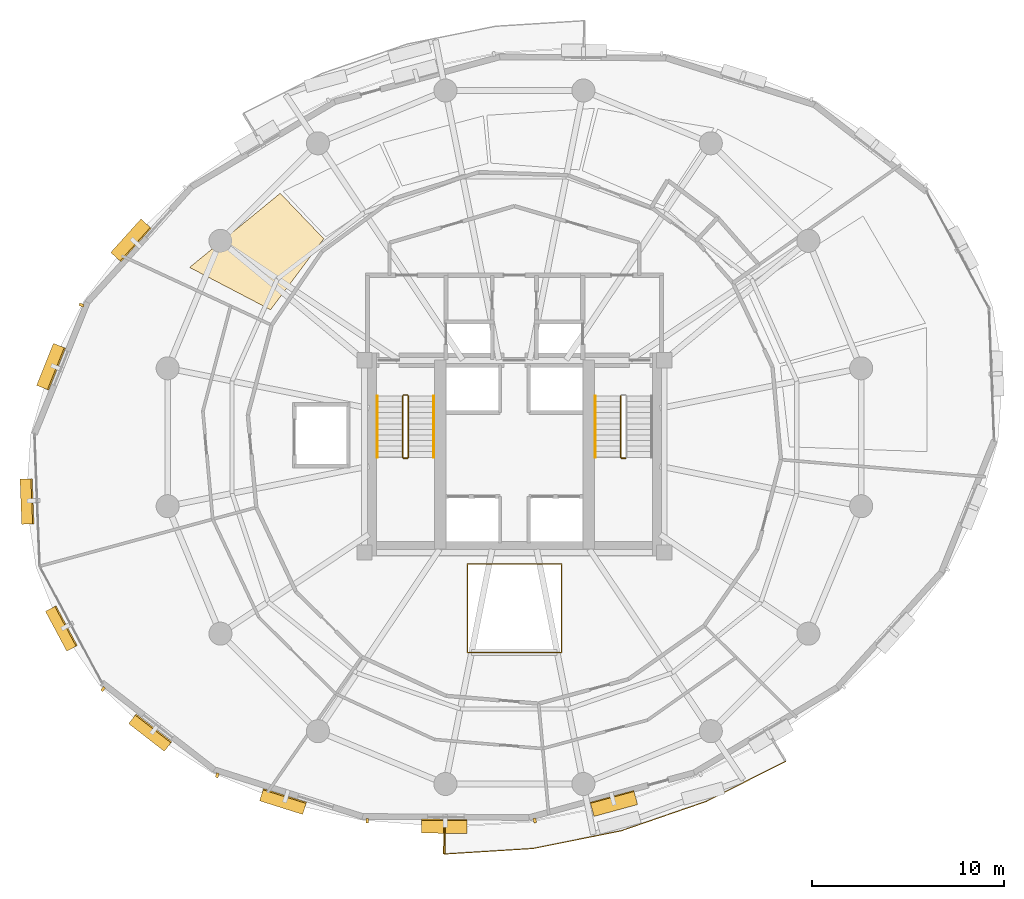
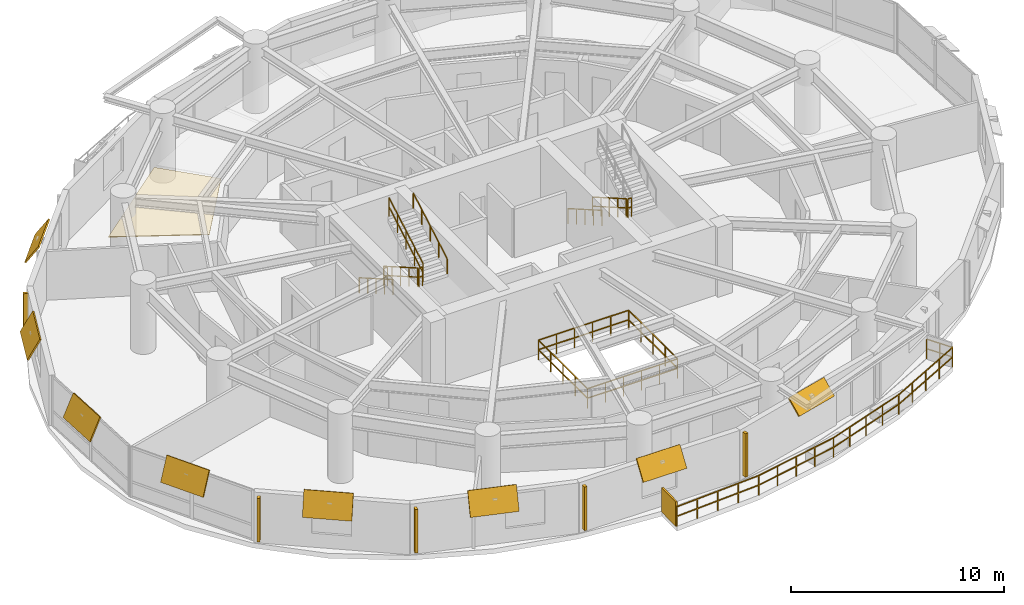
# One storey, part 13 of 15: 14 shading devices, 11 railings, 1 covering.
"""IFC4 building model written with IfcOpenShell, lengths in metres."""

from ifc_helpers import new_model, si_unit, direction, frame, origin, origin_2d, place, context, subcontext, project, spatial, polyline, rectangle, outline, extrude, material, layer, layer_set, type_object, element, save


model = new_model("IFC4")

# Units and contexts
model_context = context("Model", 3, precision=1e-05, world=origin(), true_north=direction((0.0, 1.0)))
body_context = subcontext(model_context, "Body", "Model", "MODEL_VIEW")
ifc_project = project(units=[si_unit("LENGTHUNIT", "METRE"), si_unit("AREAUNIT", "SQUARE_METRE"), si_unit("VOLUMEUNIT", "CUBIC_METRE"), si_unit("PLANEANGLEUNIT", "RADIAN"), si_unit("MASSUNIT", "GRAM", prefix="KILO"), si_unit("THERMODYNAMICTEMPERATUREUNIT", "KELVIN"), si_unit("POWERUNIT", "WATT")], contexts=[model_context])

# Site, building, storey
site_placement = place(None, origin())
site = spatial("IfcSite", under=ifc_project, at=site_placement, CompositionType="ELEMENT")
building_placement = place(site_placement, origin())
building = spatial("IfcBuilding", under=site, at=building_placement, Name="Ocrelia Relay Tower", CompositionType="ELEMENT")
storey_placement = place(building_placement, frame((0.0, 0.0, 97.800048828125)))
storey = spatial("IfcBuildingStorey", under=building, at=storey_placement, Name="L22", CompositionType="ELEMENT", Elevation=97.800048828125)

# Covering
ifc_material_1 = material(Name="Cleanroom metal-pan acoustic ceiling", Category="aluminium")
ifc_layer_1 = layer(ifc_material_1, 0.0400390625, Name="Cleanroom metal-pan acoustic ceiling")
ifc_layer_set_1 = layer_set([ifc_layer_1], Name="Cleanroom metal-pan acoustic ceiling")
covering_type = type_object("IfcCoveringType", Name="COV-CEIL-CLEAN", PredefinedType="CEILING", material=ifc_layer_set_1)
covering_placement = place(storey_placement, frame((0.0, 0.0, 2.719970703125)))
element("IfcCovering", 1, at=covering_placement, inside=storey, type_object=covering_type, Name="L22 Optical Switching Hall A Suspended Ceiling 6", PredefinedType="CEILING", context=body_context, shape_type="SweptSolid", body=[
    extrude(outline(polyline([(24.08251953125, 36.329833984375), (21.810791015625, 38.696044921875), (17.093505859375, 34.83837890625), (21.3095703125, 32.634521484375), (24.08251953125, 36.329833984375)])), origin(), (0.0, 0.0, 1.0), 0.0400390625),
])

# Railings
ifc_material_2 = material(Name="Steel S355 balustrade", Category="steel")
railing_type_1 = type_object("IfcRailingType", Name="RL-EXT-GUARD-1150", PredefinedType="GUARDRAIL", material=ifc_material_2)
railing_1_placement = place(storey_placement, frame((47.4091796875, 10.332763671875, 0.0)))
element("IfcRailing", 2, at=railing_1_placement, inside=storey, type_object=railing_type_1, Name="L22 Loggia Balcony Guard Rail B2", PredefinedType="GUARDRAIL", context=body_context, shape_type="SweptSolid", body=[
    extrude(rectangle(XDim=0.048095703125, YDim=0.048095703125, at=origin_2d()), frame((0.0, 0.0, 1.1259765625), z_axis=(0.512820036813, -0.85849613269, 0.0), x_axis=(0.85849613269, 0.512820036813, 0.0)), (0.0, 0.0, 1.0), 1.3935546875),
    extrude(rectangle(XDim=0.048095703125, YDim=0.048095703125, at=origin_2d()), frame((0.0, 0.0, 0.574951171875), z_axis=(0.512820036813, -0.85849613269, 0.0), x_axis=(0.85849613269, 0.512820036813, 0.0)), (0.0, 0.0, 1.0), 1.3935546875),
    extrude(rectangle(XDim=0.048095703125, YDim=0.048095703125, at=origin_2d()), frame((0.714599609375, -1.1962890625, 1.1259765625), z_axis=(-0.892415161061, -0.451215226148, 0.0), x_axis=(0.451215226148, -0.892415161061, 0.0)), (0.0, 0.0, 1.0), 2.315673828125),
    extrude(rectangle(XDim=0.048095703125, YDim=0.048095703125, at=origin_2d()), frame((0.714599609375, -1.1962890625, 0.574951171875), z_axis=(-0.892415161061, -0.451215226148, 0.0), x_axis=(0.451215226148, -0.892415161061, 0.0)), (0.0, 0.0, 1.0), 2.315673828125),
    extrude(rectangle(XDim=0.048095703125, YDim=0.048095703125, at=origin_2d()), frame((-1.35205078125, -2.2412109375, 1.1259765625), z_axis=(-0.892457610398, -0.451131259881, 0.0), x_axis=(0.451131259881, -0.892457610398, 0.0)), (0.0, 0.0, 1.0), 2.315673828125),
    extrude(rectangle(XDim=0.048095703125, YDim=0.048095703125, at=origin_2d()), frame((-1.35205078125, -2.2412109375, 0.574951171875), z_axis=(-0.892457610398, -0.451131259881, 0.0), x_axis=(0.451131259881, -0.892457610398, 0.0)), (0.0, 0.0, 1.0), 2.315673828125),
    extrude(rectangle(XDim=0.048095703125, YDim=0.048095703125, at=origin_2d()), frame((-3.418701171875, -3.285888671875, 1.1259765625), z_axis=(-0.94528262495, -0.32625259994, 0.0), x_axis=(0.32625259994, -0.94528262495, 0.0)), (0.0, 0.0, 1.0), 4.68212890625),
    extrude(rectangle(XDim=0.048095703125, YDim=0.048095703125, at=origin_2d()), frame((-3.418701171875, -3.285888671875, 0.574951171875), z_axis=(-0.94528262495, -0.32625259994, 0.0), x_axis=(0.32625259994, -0.94528262495, 0.0)), (0.0, 0.0, 1.0), 4.68212890625),
    extrude(rectangle(XDim=0.048095703125, YDim=0.048095703125, at=origin_2d()), frame((-7.8447265625, -4.8134765625, 1.1259765625), z_axis=(-0.980413862374, -0.196948364971, 0.0), x_axis=(0.196948364971, -0.980413862374, 0.0)), (0.0, 0.0, 1.0), 4.68212890625),
    extrude(rectangle(XDim=0.048095703125, YDim=0.048095703125, at=origin_2d()), frame((-7.8447265625, -4.8134765625, 0.574951171875), z_axis=(-0.980413862374, -0.196948364971, 0.0), x_axis=(0.196948364971, -0.980413862374, 0.0)), (0.0, 0.0, 1.0), 4.68212890625),
    extrude(rectangle(XDim=0.048095703125, YDim=0.048095703125, at=origin_2d()), frame((-12.43505859375, -5.735595703125, 1.1259765625), z_axis=(-0.998043954597, -0.062516115462, 0.0), x_axis=(0.062516115462, -0.998043954597, 0.0)), (0.0, 0.0, 1.0), 2.31591796875),
    extrude(rectangle(XDim=0.048095703125, YDim=0.048095703125, at=origin_2d()), frame((-12.43505859375, -5.735595703125, 0.574951171875), z_axis=(-0.998043954597, -0.062516115462, 0.0), x_axis=(0.062516115462, -0.998043954597, 0.0)), (0.0, 0.0, 1.0), 2.31591796875),
    extrude(rectangle(XDim=0.048095703125, YDim=0.048095703125, at=origin_2d()), frame((-14.746337890625, -5.88037109375, 1.1259765625), z_axis=(-0.99805052689, -0.062411102981, 0.0), x_axis=(0.062411102981, -0.99805052689, 0.0)), (0.0, 0.0, 1.0), 2.315673828125),
    extrude(rectangle(XDim=0.048095703125, YDim=0.048095703125, at=origin_2d()), frame((-14.746337890625, -5.88037109375, 0.574951171875), z_axis=(-0.99805052689, -0.062411102981, 0.0), x_axis=(0.062411102981, -0.99805052689, 0.0)), (0.0, 0.0, 1.0), 2.315673828125),
    extrude(rectangle(XDim=0.048095703125, YDim=0.048095703125, at=origin_2d()), frame((-17.0576171875, -6.02490234375, 1.1259765625), z_axis=(0.007883427057, 0.999968925306, 0.0), x_axis=(-0.999968925306, 0.007883427057, 0.0)), (0.0, 0.0, 1.0), 1.3935546875),
    extrude(rectangle(XDim=0.048095703125, YDim=0.048095703125, at=origin_2d()), frame((-17.0576171875, -6.02490234375, 0.574951171875), z_axis=(0.007883427057, 0.999968925306, 0.0), x_axis=(-0.999968925306, 0.007883427057, 0.0)), (0.0, 0.0, 1.0), 1.3935546875),
    extrude(rectangle(XDim=0.0419921875, YDim=0.0419921875, at=origin_2d()), origin(), (0.0, 0.0, 1.0), 1.101806640625),
    extrude(rectangle(XDim=0.0419921875, YDim=0.0419921875, at=origin_2d()), frame((0.357421875, -0.59814453125, 0.0)), (0.0, 0.0, 1.0), 1.101806640625),
    extrude(rectangle(XDim=0.0419921875, YDim=0.0419921875, at=origin_2d()), frame((0.714599609375, -1.1962890625, 0.0)), (0.0, 0.0, 1.0), 1.101806640625),
    extrude(rectangle(XDim=0.0419921875, YDim=0.0419921875, at=origin_2d()), frame((-0.31884765625, -1.71875, 0.0)), (0.0, 0.0, 1.0), 1.101806640625),
    extrude(rectangle(XDim=0.0419921875, YDim=0.0419921875, at=origin_2d()), frame((-1.35205078125, -2.2412109375, 0.0)), (0.0, 0.0, 1.0), 1.101806640625),
    extrude(rectangle(XDim=0.0419921875, YDim=0.0419921875, at=origin_2d()), frame((-2.38525390625, -2.763671875, 0.0)), (0.0, 0.0, 1.0), 1.101806640625),
    extrude(rectangle(XDim=0.0419921875, YDim=0.0419921875, at=origin_2d()), frame((-3.418701171875, -3.285888671875, 0.0)), (0.0, 0.0, 1.0), 1.101806640625),
    extrude(rectangle(XDim=0.0419921875, YDim=0.0419921875, at=origin_2d()), frame((-4.525146484375, -3.667724609375, 0.0)), (0.0, 0.0, 1.0), 1.101806640625),
    extrude(rectangle(XDim=0.0419921875, YDim=0.0419921875, at=origin_2d()), frame((-5.6318359375, -4.0498046875, 0.0)), (0.0, 0.0, 1.0), 1.101806640625),
    extrude(rectangle(XDim=0.0419921875, YDim=0.0419921875, at=origin_2d()), frame((-6.73828125, -4.431640625, 0.0)), (0.0, 0.0, 1.0), 1.101806640625),
    extrude(rectangle(XDim=0.0419921875, YDim=0.0419921875, at=origin_2d()), frame((-7.8447265625, -4.8134765625, 0.0)), (0.0, 0.0, 1.0), 1.101806640625),
    extrude(rectangle(XDim=0.0419921875, YDim=0.0419921875, at=origin_2d()), frame((-8.9921875, -5.0439453125, 0.0)), (0.0, 0.0, 1.0), 1.101806640625),
    extrude(rectangle(XDim=0.0419921875, YDim=0.0419921875, at=origin_2d()), frame((-10.139892578125, -5.2744140625, 0.0)), (0.0, 0.0, 1.0), 1.101806640625),
    extrude(rectangle(XDim=0.0419921875, YDim=0.0419921875, at=origin_2d()), frame((-11.28759765625, -5.505126953125, 0.0)), (0.0, 0.0, 1.0), 1.101806640625),
    extrude(rectangle(XDim=0.0419921875, YDim=0.0419921875, at=origin_2d()), frame((-12.43505859375, -5.735595703125, 0.0)), (0.0, 0.0, 1.0), 1.101806640625),
    extrude(rectangle(XDim=0.0419921875, YDim=0.0419921875, at=origin_2d()), frame((-13.5908203125, -5.80810546875, 0.0)), (0.0, 0.0, 1.0), 1.101806640625),
    extrude(rectangle(XDim=0.0419921875, YDim=0.0419921875, at=origin_2d()), frame((-14.746337890625, -5.88037109375, 0.0)), (0.0, 0.0, 1.0), 1.101806640625),
    extrude(rectangle(XDim=0.0419921875, YDim=0.0419921875, at=origin_2d()), frame((-15.90185546875, -5.95263671875, 0.0)), (0.0, 0.0, 1.0), 1.101806640625),
    extrude(rectangle(XDim=0.0419921875, YDim=0.0419921875, at=origin_2d()), frame((-17.0576171875, -6.02490234375, 0.0)), (0.0, 0.0, 1.0), 1.101806640625),
    extrude(rectangle(XDim=0.0419921875, YDim=0.0419921875, at=origin_2d()), frame((-17.05224609375, -5.328125, 0.0)), (0.0, 0.0, 1.0), 1.101806640625),
    extrude(rectangle(XDim=0.0419921875, YDim=0.0419921875, at=origin_2d()), frame((-17.046630859375, -4.63134765625, 0.0)), (0.0, 0.0, 1.0), 1.101806640625),
])
ifc_material_3 = material(Name="Steel S355 atrium balustrade", Category="steel")
railing_type_2 = type_object("IfcRailingType", Name="RL-INT-GUARD-115", PredefinedType="GUARDRAIL", material=ifc_material_3)
railing_2_placement = place(storey_placement, frame((31.550048828125, 14.800048828125, 0.0)))
element("IfcRailing", 3, at=railing_2_placement, inside=storey, type_object=railing_type_2, Name="L22 Multi-Zone Interior Atrium Guard", PredefinedType="GUARDRAIL", context=body_context, shape_type="SweptSolid", body=[
    extrude(rectangle(XDim=0.048095703125, YDim=0.048095703125, at=origin_2d()), frame((0.0, 0.0, 1.1259765625), z_axis=(1.0, 0.0, 0.0), x_axis=(0.0, 1.0, 0.0)), (0.0, 0.0, 1.0), 4.89990234375),
    extrude(rectangle(XDim=0.048095703125, YDim=0.048095703125, at=origin_2d()), frame((0.0, 0.0, 0.574951171875), z_axis=(1.0, 0.0, 0.0), x_axis=(0.0, 1.0, 0.0)), (0.0, 0.0, 1.0), 4.89990234375),
    extrude(rectangle(XDim=0.048095703125, YDim=0.048095703125, at=origin_2d()), frame((4.89990234375, 0.0, 1.1259765625), z_axis=(0.0, 1.0, 0.0), x_axis=(-1.0, 0.0, 0.0)), (0.0, 0.0, 1.0), 4.599853515625),
    extrude(rectangle(XDim=0.048095703125, YDim=0.048095703125, at=origin_2d()), frame((4.89990234375, 0.0, 0.574951171875), z_axis=(0.0, 1.0, 0.0), x_axis=(-1.0, 0.0, 0.0)), (0.0, 0.0, 1.0), 4.599853515625),
    extrude(rectangle(XDim=0.048095703125, YDim=0.048095703125, at=origin_2d()), frame((4.89990234375, 4.599853515625, 1.1259765625), z_axis=(-1.0, 0.0, 0.0), x_axis=(0.0, -1.0, 0.0)), (0.0, 0.0, 1.0), 4.89990234375),
    extrude(rectangle(XDim=0.048095703125, YDim=0.048095703125, at=origin_2d()), frame((4.89990234375, 4.599853515625, 0.574951171875), z_axis=(-1.0, 0.0, 0.0), x_axis=(0.0, -1.0, 0.0)), (0.0, 0.0, 1.0), 4.89990234375),
    extrude(rectangle(XDim=0.048095703125, YDim=0.048095703125, at=origin_2d()), frame((0.0, 4.599853515625, 1.1259765625), z_axis=(0.0, -1.0, 0.0), x_axis=(1.0, 0.0, 0.0)), (0.0, 0.0, 1.0), 4.599853515625),
    extrude(rectangle(XDim=0.048095703125, YDim=0.048095703125, at=origin_2d()), frame((0.0, 4.599853515625, 0.574951171875), z_axis=(0.0, -1.0, 0.0), x_axis=(1.0, 0.0, 0.0)), (0.0, 0.0, 1.0), 4.599853515625),
    extrude(rectangle(XDim=0.0419921875, YDim=0.0419921875, at=origin_2d()), origin(), (0.0, 0.0, 1.0), 1.101806640625),
    extrude(rectangle(XDim=0.0419921875, YDim=0.0419921875, at=origin_2d()), frame((0.97998046875, 0.0, 0.0)), (0.0, 0.0, 1.0), 1.101806640625),
    extrude(rectangle(XDim=0.0419921875, YDim=0.0419921875, at=origin_2d()), frame((1.9599609375, 0.0, 0.0)), (0.0, 0.0, 1.0), 1.101806640625),
    extrude(rectangle(XDim=0.0419921875, YDim=0.0419921875, at=origin_2d()), frame((2.93994140625, 0.0, 0.0)), (0.0, 0.0, 1.0), 1.101806640625),
    extrude(rectangle(XDim=0.0419921875, YDim=0.0419921875, at=origin_2d()), frame((3.919921875, 0.0, 0.0)), (0.0, 0.0, 1.0), 1.101806640625),
    extrude(rectangle(XDim=0.0419921875, YDim=0.0419921875, at=origin_2d()), frame((4.89990234375, 0.0, 0.0)), (0.0, 0.0, 1.0), 1.101806640625),
    extrude(rectangle(XDim=0.0419921875, YDim=0.0419921875, at=origin_2d()), frame((4.89990234375, 1.14990234375, 0.0)), (0.0, 0.0, 1.0), 1.101806640625),
    extrude(rectangle(XDim=0.0419921875, YDim=0.0419921875, at=origin_2d()), frame((4.89990234375, 2.2998046875, 0.0)), (0.0, 0.0, 1.0), 1.101806640625),
    extrude(rectangle(XDim=0.0419921875, YDim=0.0419921875, at=origin_2d()), frame((4.89990234375, 3.449951171875, 0.0)), (0.0, 0.0, 1.0), 1.101806640625),
    extrude(rectangle(XDim=0.0419921875, YDim=0.0419921875, at=origin_2d()), frame((4.89990234375, 4.599853515625, 0.0)), (0.0, 0.0, 1.0), 1.101806640625),
    extrude(rectangle(XDim=0.0419921875, YDim=0.0419921875, at=origin_2d()), frame((3.919921875, 4.599853515625, 0.0)), (0.0, 0.0, 1.0), 1.101806640625),
    extrude(rectangle(XDim=0.0419921875, YDim=0.0419921875, at=origin_2d()), frame((2.93994140625, 4.599853515625, 0.0)), (0.0, 0.0, 1.0), 1.101806640625),
    extrude(rectangle(XDim=0.0419921875, YDim=0.0419921875, at=origin_2d()), frame((1.9599609375, 4.599853515625, 0.0)), (0.0, 0.0, 1.0), 1.101806640625),
    extrude(rectangle(XDim=0.0419921875, YDim=0.0419921875, at=origin_2d()), frame((0.97998046875, 4.599853515625, 0.0)), (0.0, 0.0, 1.0), 1.101806640625),
    extrude(rectangle(XDim=0.0419921875, YDim=0.0419921875, at=origin_2d()), frame((0.0, 4.599853515625, 0.0)), (0.0, 0.0, 1.0), 1.101806640625),
    extrude(rectangle(XDim=0.0419921875, YDim=0.0419921875, at=origin_2d()), frame((0.0, 3.449951171875, 0.0)), (0.0, 0.0, 1.0), 1.101806640625),
    extrude(rectangle(XDim=0.0419921875, YDim=0.0419921875, at=origin_2d()), frame((0.0, 2.2998046875, 0.0)), (0.0, 0.0, 1.0), 1.101806640625),
    extrude(rectangle(XDim=0.0419921875, YDim=0.0419921875, at=origin_2d()), frame((0.0, 1.14990234375, 0.0)), (0.0, 0.0, 1.0), 1.101806640625),
])
railing_type_3 = type_object("IfcRailingType", Name="RL-STAIR-GUARD", PredefinedType="GUARDRAIL", material=ifc_material_2)
railing_3_placement = place(storey_placement, frame((28.179931640625, 28.14990234375, 0.16650390625)))
element("IfcRailing", 4, at=railing_3_placement, inside=storey, type_object=railing_type_3, Name="L22 ST1 stair guard 1", PredefinedType="GUARDRAIL", context=body_context, shape_type="SweptSolid", body=[
    extrude(rectangle(XDim=0.048095703125, YDim=0.048095703125, at=origin_2d()), frame((0.0, 0.0, 1.076171875), z_axis=(0.0, -0.86699087805, 0.498324008431), x_axis=(1.0, 0.0, 0.0)), (0.0, 0.0, 1.0), 3.679443359375),
    extrude(rectangle(XDim=0.048095703125, YDim=0.048095703125, at=origin_2d()), frame((0.0, 0.0, 0.550048828125), z_axis=(0.0, -0.86699087805, 0.498324008431), x_axis=(1.0, 0.0, 0.0)), (0.0, 0.0, 1.0), 3.679443359375),
    extrude(rectangle(XDim=0.0419921875, YDim=0.0419921875, at=origin_2d()), origin(), (0.0, 0.0, 1.0), 1.052001953125),
    extrude(rectangle(XDim=0.0419921875, YDim=0.0419921875, at=origin_2d()), frame((0.0, -0.79736328125, 0.45849609375)), (0.0, 0.0, 1.0), 1.052001953125),
    extrude(rectangle(XDim=0.0419921875, YDim=0.0419921875, at=origin_2d()), frame((0.0, -1.594970703125, 0.916748046875)), (0.0, 0.0, 1.0), 1.052001953125),
    extrude(rectangle(XDim=0.0419921875, YDim=0.0419921875, at=origin_2d()), frame((0.0, -2.392578125, 1.375)), (0.0, 0.0, 1.0), 1.052001953125),
    extrude(rectangle(XDim=0.0419921875, YDim=0.0419921875, at=origin_2d()), frame((0.0, -3.18994140625, 1.83349609375)), (0.0, 0.0, 1.0), 1.052001953125),
])
railing_4_placement = place(storey_placement, frame((28.22998046875, 24.909912109375, 2.0)))
element("IfcRailing", 5, at=railing_4_placement, inside=storey, type_object=railing_type_3, Name="L22 ST1 stair guard 2", PredefinedType="GUARDRAIL", context=body_context, shape_type="SweptSolid", body=[
    extrude(rectangle(XDim=0.048095703125, YDim=0.048095703125, at=origin_2d()), frame((0.0, 0.0, 1.076171875), z_axis=(1.0, 0.0, 0.0), x_axis=(0.0, 1.0, 0.0)), (0.0, 0.0, 1.0), 0.199951171875),
    extrude(rectangle(XDim=0.048095703125, YDim=0.048095703125, at=origin_2d()), frame((0.0, 0.0, 0.550048828125), z_axis=(1.0, 0.0, 0.0), x_axis=(0.0, 1.0, 0.0)), (0.0, 0.0, 1.0), 0.199951171875),
    extrude(rectangle(XDim=0.0419921875, YDim=0.0419921875, at=origin_2d()), origin(), (0.0, 0.0, 1.0), 1.052001953125),
    extrude(rectangle(XDim=0.0419921875, YDim=0.0419921875, at=origin_2d()), frame((0.199951171875, 0.0, 0.0)), (0.0, 0.0, 1.0), 1.052001953125),
])
railing_5_placement = place(storey_placement, frame((28.47998046875, 24.9599609375, 2.16650390625)))
element("IfcRailing", 6, at=railing_5_placement, inside=storey, type_object=railing_type_3, Name="L22 ST1 stair guard 3", PredefinedType="GUARDRAIL", context=body_context, shape_type="SweptSolid", body=[
    extrude(rectangle(XDim=0.048095703125, YDim=0.048095703125, at=origin_2d()), frame((0.0, 0.0, 1.076171875), z_axis=(0.0, 0.86699087805, 0.498324008431), x_axis=(-1.0, 0.0, 0.0)), (0.0, 0.0, 1.0), 3.679443359375),
    extrude(rectangle(XDim=0.048095703125, YDim=0.048095703125, at=origin_2d()), frame((0.0, 0.0, 0.550048828125), z_axis=(0.0, 0.86699087805, 0.498324008431), x_axis=(-1.0, 0.0, 0.0)), (0.0, 0.0, 1.0), 3.679443359375),
    extrude(rectangle(XDim=0.0419921875, YDim=0.0419921875, at=origin_2d()), origin(), (0.0, 0.0, 1.0), 1.052001953125),
    extrude(rectangle(XDim=0.0419921875, YDim=0.0419921875, at=origin_2d()), frame((0.0, 0.79736328125, 0.45849609375)), (0.0, 0.0, 1.0), 1.052001953125),
    extrude(rectangle(XDim=0.0419921875, YDim=0.0419921875, at=origin_2d()), frame((0.0, 1.594970703125, 0.916748046875)), (0.0, 0.0, 1.0), 1.052001953125),
    extrude(rectangle(XDim=0.0419921875, YDim=0.0419921875, at=origin_2d()), frame((0.0, 2.392578125, 1.375)), (0.0, 0.0, 1.0), 1.052001953125),
    extrude(rectangle(XDim=0.0419921875, YDim=0.0419921875, at=origin_2d()), frame((0.0, 3.18994140625, 1.83349609375)), (0.0, 0.0, 1.0), 1.052001953125),
])
railing_6_placement = place(storey_placement, frame((28.22998046875, 28.199951171875, 0.0)))
element("IfcRailing", 7, at=railing_6_placement, inside=storey, type_object=railing_type_3, Name="L22 ST1 stair guard 4", PredefinedType="GUARDRAIL", context=body_context, shape_type="SweptSolid", body=[
    extrude(rectangle(XDim=0.048095703125, YDim=0.048095703125, at=origin_2d()), frame((0.0, 0.0, 1.076171875), z_axis=(1.0, 0.0, 0.0), x_axis=(0.0, 1.0, 0.0)), (0.0, 0.0, 1.0), 0.199951171875),
    extrude(rectangle(XDim=0.048095703125, YDim=0.048095703125, at=origin_2d()), frame((0.0, 0.0, 0.550048828125), z_axis=(1.0, 0.0, 0.0), x_axis=(0.0, 1.0, 0.0)), (0.0, 0.0, 1.0), 0.199951171875),
    extrude(rectangle(XDim=0.0419921875, YDim=0.0419921875, at=origin_2d()), origin(), (0.0, 0.0, 1.0), 1.052001953125),
    extrude(rectangle(XDim=0.0419921875, YDim=0.0419921875, at=origin_2d()), frame((0.199951171875, 0.0, 0.0)), (0.0, 0.0, 1.0), 1.052001953125),
])
railing_7_placement = place(storey_placement, frame((39.530029296875, 28.14990234375, 0.16650390625)))
element("IfcRailing", 8, at=railing_7_placement, inside=storey, type_object=railing_type_3, Name="L22 ST2 stair guard 1", PredefinedType="GUARDRAIL", context=body_context, shape_type="SweptSolid", body=[
    extrude(rectangle(XDim=0.048095703125, YDim=0.048095703125, at=origin_2d()), frame((0.0, 0.0, 1.076171875), z_axis=(0.0, -0.86699087805, 0.498324008431), x_axis=(1.0, 0.0, 0.0)), (0.0, 0.0, 1.0), 3.679443359375),
    extrude(rectangle(XDim=0.048095703125, YDim=0.048095703125, at=origin_2d()), frame((0.0, 0.0, 0.550048828125), z_axis=(0.0, -0.86699087805, 0.498324008431), x_axis=(1.0, 0.0, 0.0)), (0.0, 0.0, 1.0), 3.679443359375),
    extrude(rectangle(XDim=0.0419921875, YDim=0.0419921875, at=origin_2d()), origin(), (0.0, 0.0, 1.0), 1.052001953125),
    extrude(rectangle(XDim=0.0419921875, YDim=0.0419921875, at=origin_2d()), frame((0.0, -0.79736328125, 0.45849609375)), (0.0, 0.0, 1.0), 1.052001953125),
    extrude(rectangle(XDim=0.0419921875, YDim=0.0419921875, at=origin_2d()), frame((0.0, -1.594970703125, 0.916748046875)), (0.0, 0.0, 1.0), 1.052001953125),
    extrude(rectangle(XDim=0.0419921875, YDim=0.0419921875, at=origin_2d()), frame((0.0, -2.392578125, 1.375)), (0.0, 0.0, 1.0), 1.052001953125),
    extrude(rectangle(XDim=0.0419921875, YDim=0.0419921875, at=origin_2d()), frame((0.0, -3.18994140625, 1.83349609375)), (0.0, 0.0, 1.0), 1.052001953125),
])
railing_8_placement = place(storey_placement, frame((39.580078125, 24.909912109375, 2.0)))
element("IfcRailing", 9, at=railing_8_placement, inside=storey, type_object=railing_type_3, Name="L22 ST2 stair guard 2", PredefinedType="GUARDRAIL", context=body_context, shape_type="SweptSolid", body=[
    extrude(rectangle(XDim=0.048095703125, YDim=0.048095703125, at=origin_2d()), frame((0.0, 0.0, 1.076171875), z_axis=(1.0, 0.0, 0.0), x_axis=(0.0, 1.0, 0.0)), (0.0, 0.0, 1.0), 0.199951171875),
    extrude(rectangle(XDim=0.048095703125, YDim=0.048095703125, at=origin_2d()), frame((0.0, 0.0, 0.550048828125), z_axis=(1.0, 0.0, 0.0), x_axis=(0.0, 1.0, 0.0)), (0.0, 0.0, 1.0), 0.199951171875),
    extrude(rectangle(XDim=0.0419921875, YDim=0.0419921875, at=origin_2d()), origin(), (0.0, 0.0, 1.0), 1.052001953125),
    extrude(rectangle(XDim=0.0419921875, YDim=0.0419921875, at=origin_2d()), frame((0.199951171875, 0.0, 0.0)), (0.0, 0.0, 1.0), 1.052001953125),
])
ifc_material_4 = material(Name="Steel S355 tubular handrail", Category="steel")
railing_type_4 = type_object("IfcRailingType", Name="RL-STAIR-HAND", PredefinedType="HANDRAIL", material=ifc_material_4)
railing_9_placement = place(storey_placement, frame((26.860107421875, 28.14990234375, 0.16650390625)))
element("IfcRailing", 10, at=railing_9_placement, inside=storey, type_object=railing_type_4, Name="L22 ST1 stair handrail 1", PredefinedType="HANDRAIL", context=body_context, shape_type="SweptSolid", body=[
    extrude(rectangle(XDim=0.048095703125, YDim=0.048095703125, at=origin_2d()), frame((0.0, 0.0, 0.8759765625), z_axis=(0.0, -0.86699087805, 0.498324008431), x_axis=(1.0, 0.0, 0.0)), (0.0, 0.0, 1.0), 3.679443359375),
    extrude(rectangle(XDim=0.0419921875, YDim=0.0419921875, at=origin_2d()), origin(), (0.0, 0.0, 1.0), 0.851806640625),
    extrude(rectangle(XDim=0.0419921875, YDim=0.0419921875, at=origin_2d()), frame((0.0, -0.79736328125, 0.45849609375)), (0.0, 0.0, 1.0), 0.851806640625),
    extrude(rectangle(XDim=0.0419921875, YDim=0.0419921875, at=origin_2d()), frame((0.0, -1.594970703125, 0.916748046875)), (0.0, 0.0, 1.0), 0.851806640625),
    extrude(rectangle(XDim=0.0419921875, YDim=0.0419921875, at=origin_2d()), frame((0.0, -2.392578125, 1.375)), (0.0, 0.0, 1.0), 0.851806640625),
    extrude(rectangle(XDim=0.0419921875, YDim=0.0419921875, at=origin_2d()), frame((0.0, -3.18994140625, 1.83349609375)), (0.0, 0.0, 1.0), 0.851806640625),
])
railing_10_placement = place(storey_placement, frame((29.800048828125, 24.9599609375, 2.16650390625)))
element("IfcRailing", 11, at=railing_10_placement, inside=storey, type_object=railing_type_4, Name="L22 ST1 stair handrail 2", PredefinedType="HANDRAIL", context=body_context, shape_type="SweptSolid", body=[
    extrude(rectangle(XDim=0.048095703125, YDim=0.048095703125, at=origin_2d()), frame((0.0, 0.0, 0.8759765625), z_axis=(0.0, 0.86699087805, 0.498324008431), x_axis=(-1.0, 0.0, 0.0)), (0.0, 0.0, 1.0), 3.679443359375),
    extrude(rectangle(XDim=0.0419921875, YDim=0.0419921875, at=origin_2d()), origin(), (0.0, 0.0, 1.0), 0.851806640625),
    extrude(rectangle(XDim=0.0419921875, YDim=0.0419921875, at=origin_2d()), frame((0.0, 0.79736328125, 0.45849609375)), (0.0, 0.0, 1.0), 0.851806640625),
    extrude(rectangle(XDim=0.0419921875, YDim=0.0419921875, at=origin_2d()), frame((0.0, 1.594970703125, 0.916748046875)), (0.0, 0.0, 1.0), 0.851806640625),
    extrude(rectangle(XDim=0.0419921875, YDim=0.0419921875, at=origin_2d()), frame((0.0, 2.392578125, 1.375)), (0.0, 0.0, 1.0), 0.851806640625),
    extrude(rectangle(XDim=0.0419921875, YDim=0.0419921875, at=origin_2d()), frame((0.0, 3.18994140625, 1.83349609375)), (0.0, 0.0, 1.0), 0.851806640625),
])
railing_11_placement = place(storey_placement, frame((38.2099609375, 28.14990234375, 0.16650390625)))
element("IfcRailing", 12, at=railing_11_placement, inside=storey, type_object=railing_type_4, Name="L22 ST2 stair handrail 1", PredefinedType="HANDRAIL", context=body_context, shape_type="SweptSolid", body=[
    extrude(rectangle(XDim=0.048095703125, YDim=0.048095703125, at=origin_2d()), frame((0.0, 0.0, 0.8759765625), z_axis=(0.0, -0.86699087805, 0.498324008431), x_axis=(1.0, 0.0, 0.0)), (0.0, 0.0, 1.0), 3.679443359375),
    extrude(rectangle(XDim=0.0419921875, YDim=0.0419921875, at=origin_2d()), origin(), (0.0, 0.0, 1.0), 0.851806640625),
    extrude(rectangle(XDim=0.0419921875, YDim=0.0419921875, at=origin_2d()), frame((0.0, -0.79736328125, 0.45849609375)), (0.0, 0.0, 1.0), 0.851806640625),
    extrude(rectangle(XDim=0.0419921875, YDim=0.0419921875, at=origin_2d()), frame((0.0, -1.594970703125, 0.916748046875)), (0.0, 0.0, 1.0), 0.851806640625),
    extrude(rectangle(XDim=0.0419921875, YDim=0.0419921875, at=origin_2d()), frame((0.0, -2.392578125, 1.375)), (0.0, 0.0, 1.0), 0.851806640625),
    extrude(rectangle(XDim=0.0419921875, YDim=0.0419921875, at=origin_2d()), frame((0.0, -3.18994140625, 1.83349609375)), (0.0, 0.0, 1.0), 0.851806640625),
])

# Shading devices
ifc_material_5 = material(Name="Perforated oxide terracotta solar screen", Category="masonry")
ifc_layer_2 = layer(ifc_material_5, 0.090087890625, Name="Perforated oxide terracotta solar screen")
ifc_layer_set_2 = layer_set([ifc_layer_2], Name="Perforated oxide terracotta solar screen")
shading_device_type_1 = type_object("IfcShadingDeviceType", Name="SH-BALC-SCREEN", PredefinedType="USERDEFINED", material=ifc_layer_set_2)
shading_device_1_placement = place(storey_placement, frame((30.357177734375, 5.004638671875, 0.0), z_axis=(0.0, 0.0, 1.0), x_axis=(-0.007965873277, -0.999968271928, 0.0)))
element("IfcShadingDevice", 13, at=shading_device_1_placement, inside=storey, type_object=shading_device_type_1, Name="L22 Balcony Perforated Terracotta Screen B2-1", ObjectType="SCREEN", PredefinedType="USERDEFINED", context=body_context, shape_type="SweptSolid", body=[
    extrude(rectangle(XDim=1.340087890625, YDim=0.090087890625, at=origin_2d()), origin(), (0.0, 0.0, 1.0), 1.39990234375),
])
ifc_material_6 = material(Name="Extruded oxide terracotta vertical baguette", Category="masonry")
shading_device_type_2 = type_object("IfcShadingDeviceType", Name="SH-TERR-BAGUETTE", PredefinedType="USERDEFINED", material=ifc_material_6)
for number, where, z_axis, x_axis, name in (
    (14, (11.469482421875, 32.87890625, 0.199951171875), (0.0, 0.0, 1.0), (-0.371687223695, -0.928358017008, 0.0), "L22 Oxide Terracotta Vertical Baguette 08"),
    (15, (12.591796875, 12.89501953125, 0.199951171875), (0.0, 0.0, 1.0), (0.790363406369, -0.612638299384, 0.0), "L22 Oxide Terracotta Vertical Baguette 11"),
    (16, (18.5380859375, 8.40869140625, 0.199951171875), (0.0, 0.0, 1.0), (0.95362167672, -0.30100780337, 0.0), "L22 Oxide Terracotta Vertical Baguette 12"),
    (17, (26.336669921875, 6.031982421875, 0.199951171875), (0.0, 0.0, 1.0), (0.99997900527, -0.006479893474, 0.0), "L22 Oxide Terracotta Vertical Baguette 13"),
    (18, (35.06298828125, 6.048583984375, 0.199951171875), (0.0, 0.0, 1.0), (0.965015154007, 0.262194112323, 0.0), "L22 Oxide Terracotta Vertical Baguette 14"),
):
    element("IfcShadingDevice", number, at=place(storey_placement, frame(where, z_axis=z_axis, x_axis=x_axis)), inside=storey, type_object=shading_device_type_2, Name=name, ObjectType="BAGUETTE", PredefinedType="USERDEFINED", context=body_context, shape_type="SweptSolid", body=[
        extrude(rectangle(XDim=0.139892578125, YDim=0.239990234375, at=origin_2d()), origin(), (0.0, 0.0, 1.0), 2.5),
    ])
ifc_material_7 = material(Name="Extruded oxide terracotta fin", Category="masonry")
ifc_layer_3 = layer(ifc_material_7, 0.080078125, Name="Extruded oxide terracotta fin")
ifc_layer_set_3 = layer_set([ifc_layer_3], Name="Extruded oxide terracotta fin")
shading_device_type_3 = type_object("IfcShadingDeviceType", Name="SH-VISOR-FIN-DEEP", PredefinedType="USERDEFINED", material=ifc_layer_set_3)
shading_device_2_placement = place(storey_placement, frame((14.06982421875, 36.2236328125, 2.718017578125), z_axis=(-0.620467455418, 0.560280635456, 0.548731032748), x_axis=(-0.670192984966, -0.742186878692, 0.0)))
element("IfcShadingDevice", 19, at=shading_device_2_placement, inside=storey, type_object=shading_device_type_3, Name="L22 Canted Terracotta Sun-Visor Fin 07", ObjectType="FIN", PredefinedType="USERDEFINED", context=body_context, shape_type="SweptSolid", body=[
    extrude(rectangle(XDim=2.35009765625, YDim=1.195068359375, at=origin_2d()), origin(), (0.0, 0.0, 1.0), 0.080078125),
])
shading_device_3_placement = place(storey_placement, frame((9.91943359375, 29.65380859375, 2.72119140625), z_axis=(-0.819539290439, 0.328119408667, 0.46977974103), x_axis=(-0.371687223695, -0.928358017008, 0.0)))
element("IfcShadingDevice", 20, at=shading_device_3_placement, inside=storey, type_object=shading_device_type_3, Name="L22 Canted Terracotta Sun-Visor Fin 08", ObjectType="FIN", PredefinedType="USERDEFINED", context=body_context, shape_type="SweptSolid", body=[
    extrude(rectangle(XDim=2.35009765625, YDim=1.282958984375, at=origin_2d()), origin(), (0.0, 0.0, 1.0), 0.080078125),
])
shading_device_4_placement = place(storey_placement, frame((8.66943359375, 22.65673828125, 2.722900390625), z_axis=(-0.904808329523, -0.035250904981, 0.424357467855), x_axis=(0.038929993842, -0.999241940463, 0.0)))
element("IfcShadingDevice", 21, at=shading_device_4_placement, inside=storey, type_object=shading_device_type_3, Name="L22 Canted Terracotta Sun-Visor Fin 09", ObjectType="FIN", PredefinedType="USERDEFINED", context=body_context, shape_type="SweptSolid", body=[
    extrude(rectangle(XDim=2.35009765625, YDim=1.33203125, at=origin_2d()), origin(), (0.0, 0.0, 1.0), 0.080078125),
])
shading_device_5_placement = place(storey_placement, frame((10.455810546875, 16.06396484375, 2.7236328125), z_axis=(-0.805220439192, -0.431191209902, 0.407055505812), x_axis=(0.472070936584, -0.881560565607, 0.0)))
element("IfcShadingDevice", 22, at=shading_device_5_placement, inside=storey, type_object=shading_device_type_3, Name="L22 Canted Terracotta Sun-Visor Fin 10", ObjectType="FIN", PredefinedType="USERDEFINED", context=body_context, shape_type="SweptSolid", body=[
    extrude(rectangle(XDim=2.35009765625, YDim=1.35009765625, at=origin_2d()), origin(), (0.0, 0.0, 1.0), 0.080078125),
])
shading_device_6_placement = place(storey_placement, frame((15.067626953125, 10.654052734375, 2.72314453125), z_axis=(-0.556497509612, -0.717936289284, 0.418184177516), x_axis=(0.790363406369, -0.612638299384, 0.0)))
element("IfcShadingDevice", 23, at=shading_device_6_placement, inside=storey, type_object=shading_device_type_3, Name="L22 Canted Terracotta Sun-Visor Fin 11", ObjectType="FIN", PredefinedType="USERDEFINED", context=body_context, shape_type="SweptSolid", body=[
    extrude(rectangle(XDim=2.35009765625, YDim=1.337890625, at=origin_2d()), origin(), (0.0, 0.0, 1.0), 0.080078125),
])
shading_device_7_placement = place(storey_placement, frame((21.97021484375, 7.076416015625, 2.721435546875), z_axis=(-0.266314763994, -0.843710790658, 0.466077834922), x_axis=(0.95362167672, -0.30100780337, 0.0)))
element("IfcShadingDevice", 24, at=shading_device_7_placement, inside=storey, type_object=shading_device_type_3, Name="L22 Canted Terracotta Sun-Visor Fin 12", ObjectType="FIN", PredefinedType="USERDEFINED", context=body_context, shape_type="SweptSolid", body=[
    extrude(rectangle(XDim=2.35009765625, YDim=1.287109375, at=origin_2d()), origin(), (0.0, 0.0, 1.0), 0.080078125),
])
shading_device_8_placement = place(storey_placement, frame((30.34765625, 5.785888671875, 2.717529296875), z_axis=(-0.005361935473, -0.827455408345, 0.561505829755), x_axis=(0.99997900527, -0.006479893474, 0.0)))
element("IfcShadingDevice", 25, at=shading_device_8_placement, inside=storey, type_object=shading_device_type_3, Name="L22 Canted Terracotta Sun-Visor Fin 13", ObjectType="FIN", PredefinedType="USERDEFINED", context=body_context, shape_type="SweptSolid", body=[
    extrude(rectangle(XDim=2.35009765625, YDim=1.180908203125, at=origin_2d()), origin(), (0.0, 0.0, 1.0), 0.080078125),
])
ifc_layer_4 = layer(ifc_material_7, 0.080078125, Name="Extruded oxide terracotta fin")
ifc_layer_set_4 = layer_set([ifc_layer_4], Name="Extruded oxide terracotta fin")
shading_device_type_4 = type_object("IfcShadingDeviceType", Name="SH-VISOR-FIN-MED", PredefinedType="USERDEFINED", material=ifc_layer_set_4)
shading_device_9_placement = place(storey_placement, frame((39.169921875, 6.971435546875, 2.712158203125), z_axis=(0.188892525122, -0.695225943885, 0.693527577607), x_axis=(0.965015154007, 0.262194112323, 0.0)))
element("IfcShadingDevice", 26, at=shading_device_9_placement, inside=storey, type_object=shading_device_type_4, Name="L22 Canted Terracotta Sun-Visor Fin 14", ObjectType="FIN", PredefinedType="USERDEFINED", context=body_context, shape_type="SweptSolid", body=[
    extrude(rectangle(XDim=2.35009765625, YDim=1.01806640625, at=origin_2d()), origin(), (0.0, 0.0, 1.0), 0.080078125),
])

save(model, "model.ifc")
